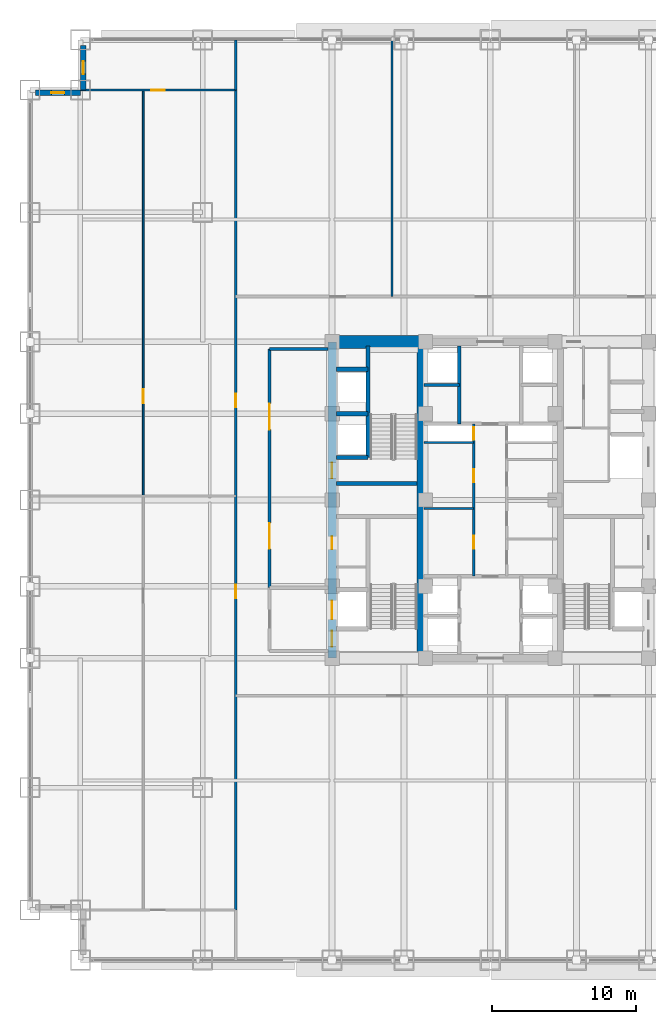
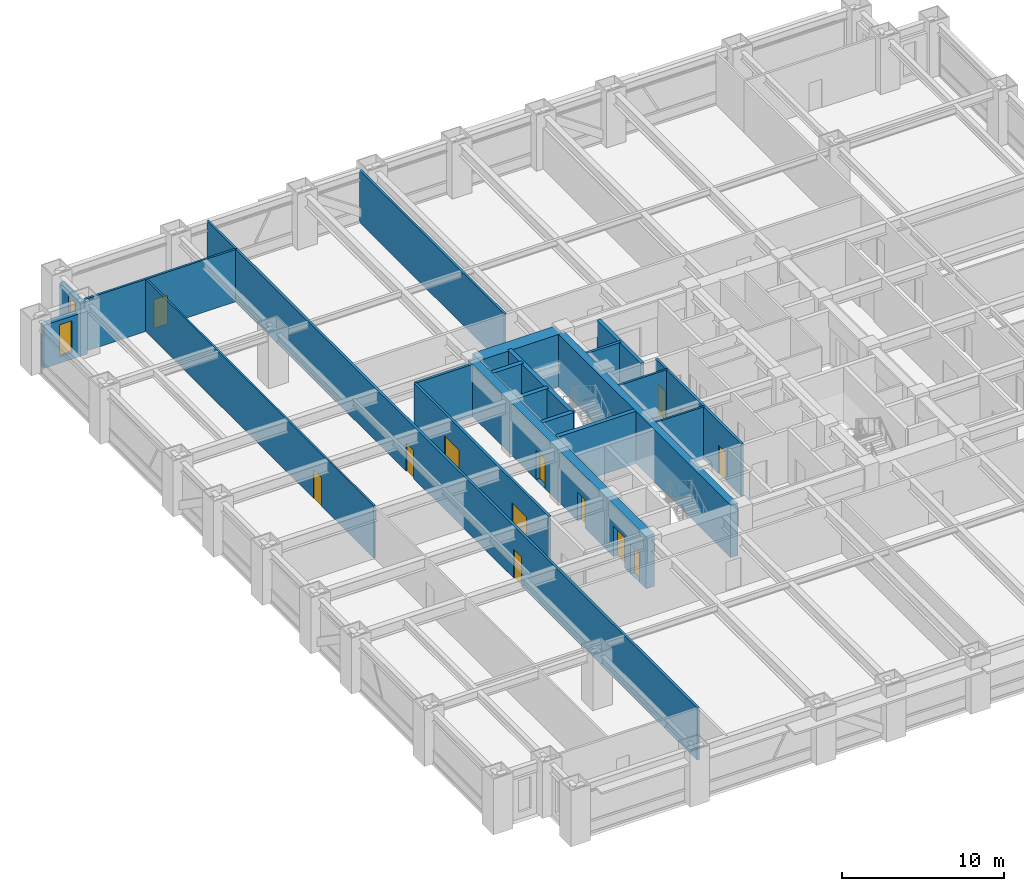
# One storey, part 25 of 32: 22 walls, 13 doors, 2 windows, 15 openings.
"""IFC4 building model written with IfcOpenShell, lengths in metres."""

from ifc_helpers import new_model, si_unit, direction, frame, frame_2d, origin, place, context, subcontext, project, spatial, rectangle, extrude, source, transform, mapped, material, layer, layer_set, type_object, element, fill, save


model = new_model("IFC4")

# Units and contexts
model_context = context("Model", 3, precision=1e-05, world=origin(), true_north=direction((0.0, 1.0)))
body_context = subcontext(model_context, "Body", "Model", "MODEL_VIEW")
ifc_project = project(units=[si_unit("LENGTHUNIT", "METRE"), si_unit("AREAUNIT", "SQUARE_METRE"), si_unit("VOLUMEUNIT", "CUBIC_METRE"), si_unit("PLANEANGLEUNIT", "RADIAN"), si_unit("MASSUNIT", "GRAM", prefix="KILO")], contexts=[model_context])

# Site, building, storey
site_placement = place(None, origin())
site = spatial("IfcSite", under=ifc_project, at=site_placement, CompositionType="ELEMENT")
building_placement = place(site_placement, origin())
building = spatial("IfcBuilding", under=site, at=building_placement, Name="Khorayat Bourse Tower", CompositionType="ELEMENT")
storey_placement = place(building_placement, frame((0.0, 0.0, 78.800048828125)))
storey = spatial("IfcBuildingStorey", under=building, at=storey_placement, Name="L17", CompositionType="ELEMENT", Elevation=78.800048828125)

# Wall, openings, doors
ifc_material_1 = material(Name="Concrete C60/75", Category="concrete")
ifc_layer_1 = layer(ifc_material_1, 0.60009765625)
ifc_layer_set_1 = layer_set([ifc_layer_1], Name="Concrete C60/75")
wall_type_1 = type_object("IfcWallType", Name="WAL-CORE-600", PredefinedType="SHEAR", material=ifc_layer_set_1)
shared_shape_1 = source(origin(), body_context, "Body", "SweptSolid", [
    extrude(rectangle(XDim=22.0, YDim=0.60009765625, at=frame_2d((11.0, 0.0))), origin(), (0.0, 0.0, 1.0), 3.93994140625),
])
wall_1_placement = place(storey_placement, frame((-11.0, -11.0, 0.0), z_axis=(0.0, 0.0, 1.0), x_axis=(0.0, 1.0, 0.0)))
wall_1 = element("IfcWall", 1, at=wall_1_placement, inside=storey, type_object=wall_type_1, Name="L17 Core Shear Wall CORE-W", PredefinedType="SHEAR", context=body_context, shape_type="MappedRepresentation", body=[
    mapped(shared_shape_1, transform((0.0, 0.0, 0.0), scale=1.0)),
])
shared_shape_2 = source(origin(), body_context, "Body", "SweptSolid", [
    extrude(rectangle(XDim=1.10009765625, YDim=2.199951171875, at=frame_2d((0.550048828125, 1.10009765625))), frame((0.0, 0.31005859375, 0.0), z_axis=(0.0, -1.0, 0.0), x_axis=(1.0, 0.0, 0.0)), (0.0, 0.0, 1.0), 0.6201171875),
])
opening_1_placement = place(wall_1_placement, frame((0.800048828125, 0.0, 0.0)))
opening_1 = element("IfcOpeningElement", 2, at=opening_1_placement, cuts=wall_1, Name="Opening DI-01", PredefinedType="OPENING", context=body_context, shape_type="MappedRepresentation", body=[
    mapped(shared_shape_2, transform((0.0, 0.0, 0.0), scale=1.0)),
])
opening_2_placement = place(wall_1_placement, frame((12.5, 0.0, 0.0)))
opening_2 = element("IfcOpeningElement", 3, at=opening_2_placement, cuts=wall_1, Name="Opening DI-01", PredefinedType="OPENING", context=body_context, shape_type="MappedRepresentation", body=[
    mapped(shared_shape_2, transform((0.0, 0.0, 0.0), scale=1.0)),
])
shared_shape_3 = source(origin(), body_context, "Body", "SweptSolid", [
    extrude(rectangle(XDim=0.89990234375, YDim=2.14990234375, at=frame_2d((0.449951171875, 1.074951171875))), frame((0.0, 0.31005859375, 0.0), z_axis=(0.0, -1.0, 0.0), x_axis=(1.0, 0.0, 0.0)), (0.0, 0.0, 1.0), 0.6201171875),
])
opening_3_placement = place(wall_1_placement, frame((7.574951171875, 0.0, 0.0)))
opening_3 = element("IfcOpeningElement", 4, at=opening_3_placement, cuts=wall_1, Name="Opening DI-06", PredefinedType="OPENING", context=body_context, shape_type="MappedRepresentation", body=[
    mapped(shared_shape_3, transform((0.0, 0.0, 0.0), scale=1.0)),
])
shared_shape_4 = source(origin(), body_context, "Body", "SweptSolid", [
    extrude(rectangle(XDim=1.300048828125, YDim=2.300048828125, at=frame_2d((0.64990234375, 1.14990234375))), frame((0.0, 0.31005859375, 0.0), z_axis=(0.0, -1.0, 0.0), x_axis=(1.0, 0.0, 0.0)), (0.0, 0.0, 1.0), 0.6201171875),
])
opening_4_placement = place(wall_1_placement, frame((2.699951171875, 0.0, 0.0)))
opening_4 = element("IfcOpeningElement", 5, at=opening_4_placement, cuts=wall_1, Name="Opening LD-02", PredefinedType="OPENING", context=body_context, shape_type="MappedRepresentation", body=[
    mapped(shared_shape_4, transform((0.0, 0.0, 0.0), scale=1.0)),
])
ifc_material_2 = material(Name="Fire-rated steel acoustic leaf", Category="steel")
door_type_1 = type_object("IfcDoorType", Name="DR-INT-STAIR-1100", OperationType="NOTDEFINED", PredefinedType="DOOR", material=ifc_material_2)
shared_shape_5 = source(origin(), body_context, "Body", "SweptSolid", [
    extrude(rectangle(XDim=1.10009765625, YDim=2.199951171875, at=frame_2d((0.550048828125, 1.10009765625))), frame((0.0, 0.02490234375, 0.0), z_axis=(0.0, -1.0, 0.0), x_axis=(1.0, 0.0, 0.0)), (0.0, 0.0, 1.0), 0.050048828125),
])
door_1_placement = place(opening_1_placement, origin())
door_1 = element("IfcDoor", 6, at=door_1_placement, inside=storey, type_object=door_type_1, Name="L17 Exit Stair 1 Door", OperationType="SINGLE_SWING_RIGHT", OverallHeight=2.199951171875, OverallWidth=1.10009765625, PredefinedType="DOOR", context=body_context, shape_type="MappedRepresentation", body=[
    mapped(shared_shape_5, transform((0.0, 0.0, 0.0), scale=1.0)),
])
fill(opening_1, door_1)
door_2_placement = place(opening_2_placement, origin())
door_2 = element("IfcDoor", 7, at=door_2_placement, inside=storey, type_object=door_type_1, Name="L17 Exit Stair 2 Door", OperationType="SINGLE_SWING_RIGHT", OverallHeight=2.199951171875, OverallWidth=1.10009765625, PredefinedType="DOOR", context=body_context, shape_type="MappedRepresentation", body=[
    mapped(shared_shape_5, transform((0.0, 0.0, 0.0), scale=1.0)),
])
fill(opening_2, door_2)
ifc_material_3 = material(Name="Moisture-resistant laminate washroom door")
door_type_2 = type_object("IfcDoorType", Name="DR-INT-WC-900", OperationType="NOTDEFINED", PredefinedType="DOOR", material=ifc_material_3)
shared_shape_6 = source(origin(), body_context, "Body", "SweptSolid", [
    extrude(rectangle(XDim=0.89990234375, YDim=2.14990234375, at=frame_2d((0.449951171875, 1.074951171875))), frame((0.0, 0.02490234375, 0.0), z_axis=(0.0, -1.0, 0.0), x_axis=(1.0, 0.0, 0.0)), (0.0, 0.0, 1.0), 0.050048828125),
])
door_3_placement = place(opening_3_placement, origin())
door_3 = element("IfcDoor", 8, at=door_3_placement, inside=storey, type_object=door_type_2, Name="L17 UPS Switch Plant Room Door", OperationType="SINGLE_SWING_RIGHT", OverallHeight=2.14990234375, OverallWidth=0.89990234375, PredefinedType="DOOR", context=body_context, shape_type="MappedRepresentation", body=[
    mapped(shared_shape_6, transform((0.0, 0.0, 0.0), scale=1.0)),
])
fill(opening_3, door_3)
ifc_material_4 = material(Name="Fire-rated stainless-steel sliding landing door", Category="steel")
door_type_3 = type_object("IfcDoorType", Name="DR-LIFT-FF-1300", OperationType="NOTDEFINED", PredefinedType="DOOR", material=ifc_material_4)
shared_shape_7 = source(origin(), body_context, "Body", "SweptSolid", [
    extrude(rectangle(XDim=1.300048828125, YDim=2.300048828125, at=frame_2d((0.64990234375, 1.14990234375))), frame((0.0, 0.02490234375, 0.0), z_axis=(0.0, -1.0, 0.0), x_axis=(1.0, 0.0, 0.0)), (0.0, 0.0, 1.0), 0.050048828125),
])
door_4_placement = place(opening_4_placement, origin())
door_4 = element("IfcDoor", 9, at=door_4_placement, inside=storey, type_object=door_type_3, Name="L17 Lift FFL-01 Sliding Landing Door", OperationType="SLIDING_TO_LEFT", OverallHeight=2.300048828125, OverallWidth=1.300048828125, PredefinedType="DOOR", context=body_context, shape_type="MappedRepresentation", body=[
    mapped(shared_shape_7, transform((0.0, 0.0, 0.0), scale=1.0)),
])
fill(opening_4, door_4)

# Walls
ifc_material_5 = material(Name="Concrete C52/65", Category="concrete")
ifc_layer_2 = layer(ifc_material_5, 0.5)
ifc_layer_set_2 = layer_set([ifc_layer_2], Name="Concrete C52/65")
wall_type_2 = type_object("IfcWallType", Name="WAL-CORE-500", PredefinedType="SHEAR", material=ifc_layer_set_2)
shared_shape_8 = source(origin(), body_context, "Body", "SweptSolid", [
    extrude(rectangle(XDim=21.39990234375, YDim=0.5, at=frame_2d((10.699951171875, 0.0))), origin(), (0.0, 0.0, 1.0), 3.93994140625),
])
wall_2_placement = place(storey_placement, frame((-4.85009765625, -10.699951171875, 0.0), z_axis=(0.0, 0.0, 1.0), x_axis=(0.0, 1.0, 0.0)))
element("IfcWall", 10, at=wall_2_placement, inside=storey, type_object=wall_type_2, Name="L17 Core Shear Wall PIER-W", PredefinedType="SHEAR", context=body_context, shape_type="MappedRepresentation", body=[
    mapped(shared_shape_8, transform((0.0, 0.0, 0.0), scale=1.0)),
])
ifc_material_6 = material(Name="Concrete C72/90", Category="concrete")
ifc_layer_3 = layer(ifc_material_6, 0.89990234375)
ifc_layer_set_3 = layer_set([ifc_layer_3], Name="Concrete C72/90")
wall_type_3 = type_object("IfcWallType", Name="WAL-CORE-900", PredefinedType="SHEAR", material=ifc_layer_set_3)
shared_shape_9 = source(origin(), body_context, "Body", "SweptSolid", [
    extrude(rectangle(XDim=5.849853515625, YDim=0.89990234375, at=frame_2d((2.9248046875, 0.0))), origin(), (0.0, 0.0, 1.0), 3.93994140625),
])
wall_3_placement = place(storey_placement, frame((-10.699951171875, 11.0, 0.0), z_axis=(0.0, 0.0, 1.0), x_axis=(1.0, 0.0, 0.0)))
element("IfcWall", 11, at=wall_3_placement, inside=storey, type_object=wall_type_3, Name="L17 Core Shear Wall PIER-WN", PredefinedType="SHEAR", context=body_context, shape_type="MappedRepresentation", body=[
    mapped(shared_shape_9, transform((0.0, 0.0, 0.0), scale=1.0)),
])
ifc_material_7 = material(Name="Concrete C50/60", Category="concrete")
ifc_layer_4 = layer(ifc_material_7, 0.300048828125)
ifc_layer_set_4 = layer_set([ifc_layer_4], Name="Concrete C50/60")
wall_type_4 = type_object("IfcWallType", Name="WAL-SHAFT-300", PredefinedType="SHEAR", material=ifc_layer_set_4)
shared_shape_10 = source(origin(), body_context, "Body", "SweptSolid", [
    extrude(rectangle(XDim=5.599853515625, YDim=0.300048828125, at=frame_2d((2.7998046875, 0.0))), origin(), (0.0, 0.0, 1.0), 3.93994140625),
])
wall_4_placement = place(storey_placement, frame((-10.699951171875, 1.14990234375, 0.0), z_axis=(0.0, 0.0, 1.0), x_axis=(1.0, 0.0, 0.0)))
element("IfcWall", 12, at=wall_4_placement, inside=storey, type_object=wall_type_4, Name="L17 Core Shear Wall ST2-DIV", PredefinedType="SHEAR", context=body_context, shape_type="MappedRepresentation", body=[
    mapped(shared_shape_10, transform((0.0, 0.0, 0.0), scale=1.0)),
])

# Wall, opening, window
ifc_material_8 = material(Name="Precast concrete C45/55", Category="concrete")
ifc_layer_5 = layer(ifc_material_8, 0.3798828125)
ifc_layer_set_5 = layer_set([ifc_layer_5], Name="Precast concrete C45/55")
wall_type_5 = type_object("IfcWallType", Name="WAL-EXT-STONE-380", PredefinedType="STANDARD", material=ifc_layer_set_5)
shared_shape_11 = source(origin(), body_context, "Body", "SweptSolid", [
    extrude(rectangle(XDim=3.1201171875, YDim=0.3798828125, at=frame_2d((1.56005859375, 0.0))), origin(), (0.0, 0.0, 1.0), 3.244873046875),
])
wall_5_placement = place(storey_placement, frame((-28.31005859375, 28.5, 0.0), z_axis=(0.0, 0.0, 1.0), x_axis=(0.0, 1.0, 0.0)))
wall_5 = element("IfcWall", 13, at=wall_5_placement, inside=storey, type_object=wall_type_5, Name="L17 Re-Entrant Notch Limestone Wall NW-V", PredefinedType="STANDARD", context=body_context, shape_type="MappedRepresentation", body=[
    mapped(shared_shape_11, transform((0.0, 0.0, 0.0), scale=1.0)),
])
shared_shape_12 = source(origin(), body_context, "Body", "SweptSolid", [
    extrude(rectangle(XDim=0.89990234375, YDim=2.39990234375, at=frame_2d((0.449951171875, 1.199951171875))), frame((0.0, 0.199951171875, 0.0), z_axis=(0.0, -1.0, 0.0), x_axis=(1.0, 0.0, 0.0)), (0.0, 0.0, 1.0), 0.39990234375),
])
opening_5_placement = place(wall_5_placement, frame((1.110107421875, 0.0, 0.5)))
opening_5 = element("IfcOpeningElement", 14, at=opening_5_placement, cuts=wall_5, Name="Opening WN-03", PredefinedType="OPENING", context=body_context, shape_type="MappedRepresentation", body=[
    mapped(shared_shape_12, transform((0.0, 0.0, 0.0), scale=1.0)),
])
ifc_material_9 = material(Name="Deep-reveal solar-control double glazing", Category="glass")
window_type = type_object("IfcWindowType", Name="WIN-SLOT-900x2400", PartitioningType="SINGLE_PANEL", PredefinedType="WINDOW", material=ifc_material_9)
shared_shape_13 = source(origin(), body_context, "Body", "SweptSolid", [
    extrude(rectangle(XDim=0.89990234375, YDim=2.39990234375, at=frame_2d((0.449951171875, 1.199951171875))), frame((0.0, 0.030029296875, 0.0), z_axis=(0.0, -1.0, 0.0), x_axis=(1.0, 0.0, 0.0)), (0.0, 0.0, 1.0), 0.06005859375),
])
window_1_placement = place(opening_5_placement, origin())
window_1 = element("IfcWindow", 15, at=window_1_placement, inside=storey, type_object=window_type, Name="L17 Facade Window 1", OverallHeight=2.39990234375, OverallWidth=0.89990234375, PartitioningType="SINGLE_PANEL", PredefinedType="WINDOW", context=body_context, shape_type="MappedRepresentation", body=[
    mapped(shared_shape_13, transform((0.0, 0.0, 0.0), scale=1.0)),
])
fill(opening_5, window_1)

wall_6_placement = place(storey_placement, frame((-28.5, 28.31005859375, 0.0), z_axis=(0.0, 0.0, 1.0), x_axis=(-1.0, 0.0, 0.0)))
wall_6 = element("IfcWall", 16, at=wall_6_placement, inside=storey, type_object=wall_type_5, Name="L17 Re-Entrant Notch Limestone Wall NW-H", PredefinedType="STANDARD", context=body_context, shape_type="MappedRepresentation", body=[
    mapped(shared_shape_11, transform((0.0, 0.0, 0.0), scale=1.0)),
])
opening_6_placement = place(wall_6_placement, frame((1.110107421875, 0.0, 0.5)))
opening_6 = element("IfcOpeningElement", 17, at=opening_6_placement, cuts=wall_6, Name="Opening WN-03", PredefinedType="OPENING", context=body_context, shape_type="MappedRepresentation", body=[
    mapped(shared_shape_12, transform((0.0, 0.0, 0.0), scale=1.0)),
])
window_2_placement = place(opening_6_placement, origin())
window_2 = element("IfcWindow", 18, at=window_2_placement, inside=storey, type_object=window_type, Name="L17 Facade Window 1", OverallHeight=2.39990234375, OverallWidth=0.89990234375, PartitioningType="SINGLE_PANEL", PredefinedType="WINDOW", context=body_context, shape_type="MappedRepresentation", body=[
    mapped(shared_shape_13, transform((0.0, 0.0, 0.0), scale=1.0)),
])
fill(opening_6, window_2)

# Walls
shared_shape_14 = source(origin(), body_context, "Body", "SweptSolid", [
    extrude(rectangle(XDim=2.199951171875, YDim=0.300048828125, at=frame_2d((1.10009765625, 0.0))), origin(), (0.0, 0.0, 1.0), 3.93994140625),
])
for number, where, z_axis, x_axis, name in (
    (19, (-10.699951171875, 2.949951171875, 0.0), (0.0, 0.0, 1.0), (1.0, 0.0, 0.0), "L17 Partition WAL-L17-WPIER-H1S"),
    (20, (-10.699951171875, 6.0, 0.0), (0.0, 0.0, 1.0), (1.0, 0.0, 0.0), "L17 Partition WAL-L17-WPIER-H12"),
    (21, (-10.699951171875, 9.10009765625, 0.0), (0.0, 0.0, 1.0), (1.0, 0.0, 0.0), "L17 Partition WAL-L17-WPIER-H2N"),
):
    element("IfcWall", number, at=place(storey_placement, frame(where, z_axis=z_axis, x_axis=x_axis)), inside=storey, type_object=wall_type_4, Name=name, PredefinedType="SHEAR", context=body_context, shape_type="MappedRepresentation", body=[
        mapped(shared_shape_14, transform((0.0, 0.0, 0.0), scale=1.0)),
    ])
shared_shape_15 = source(origin(), body_context, "Body", "SweptSolid", [
    extrude(rectangle(XDim=7.75, YDim=0.300048828125, at=frame_2d((3.875, 0.0))), origin(), (0.0, 0.0, 1.0), 3.93994140625),
])
wall_7_placement = place(storey_placement, frame((-8.5, 2.949951171875, 0.0), z_axis=(0.0, 0.0, 1.0), x_axis=(0.0, 1.0, 0.0)))
element("IfcWall", 22, at=wall_7_placement, inside=storey, type_object=wall_type_4, Name="L17 Partition WAL-L17-WPIER-ST2S", PredefinedType="SHEAR", context=body_context, shape_type="MappedRepresentation", body=[
    mapped(shared_shape_15, transform((0.0, 0.0, 0.0), scale=1.0)),
])
ifc_material_10 = material(Name="Gypsum plasterboard acoustic stud wall")
ifc_layer_6 = layer(ifc_material_10, 0.179931640625)
ifc_layer_set_6 = layer_set([ifc_layer_6], Name="Gypsum plasterboard acoustic stud wall")
wall_type_6 = type_object("IfcWallType", Name="WAL-PART-CORR-180", PredefinedType="PARTITIONING", material=ifc_layer_set_6)
shared_shape_16 = source(origin(), body_context, "Body", "SweptSolid", [
    extrude(rectangle(XDim=4.050048828125, YDim=0.179931640625, at=frame_2d((2.02490234375, 0.0))), origin(), (0.0, 0.0, 1.0), 3.93994140625),
])
wall_8_placement = place(storey_placement, frame((-15.35009765625, 10.5, 0.0), z_axis=(0.0, 0.0, 1.0), x_axis=(1.0, 0.0, 0.0)))
element("IfcWall", 23, at=wall_8_placement, inside=storey, type_object=wall_type_6, Name="L17 Partition WAL-L17-WLOB-N", PredefinedType="PARTITIONING", context=body_context, shape_type="MappedRepresentation", body=[
    mapped(shared_shape_16, transform((0.0, 0.0, 0.0), scale=1.0)),
])

# Wall, openings, doors
shared_shape_17 = source(origin(), body_context, "Body", "SweptSolid", [
    extrude(rectangle(XDim=16.60009765625, YDim=0.179931640625, at=frame_2d((8.300048828125, 0.0))), origin(), (0.0, 0.0, 1.0), 3.93994140625),
])
wall_9_placement = place(storey_placement, frame((-15.35009765625, -6.10009765625, 0.0), z_axis=(0.0, 0.0, 1.0), x_axis=(0.0, 1.0, 0.0)))
wall_9 = element("IfcWall", 24, at=wall_9_placement, inside=storey, type_object=wall_type_6, Name="L17 Partition WAL-L17-WLOB-W", PredefinedType="PARTITIONING", context=body_context, shape_type="MappedRepresentation", body=[
    mapped(shared_shape_17, transform((0.0, 0.0, 0.0), scale=1.0)),
])
shared_shape_18 = source(origin(), body_context, "Body", "SweptSolid", [
    extrude(rectangle(XDim=1.800048828125, YDim=2.25, at=frame_2d((0.89990234375, 1.125))), frame((0.0, 0.099853515625, 0.0), z_axis=(0.0, -1.0, 0.0), x_axis=(1.0, 0.0, 0.0)), (0.0, 0.0, 1.0), 0.199951171875),
])
opening_7_placement = place(wall_9_placement, frame((2.699951171875, 0.0, 0.0)))
opening_7 = element("IfcOpeningElement", 25, at=opening_7_placement, cuts=wall_9, Name="Opening DI-03", PredefinedType="OPENING", context=body_context, shape_type="MappedRepresentation", body=[
    mapped(shared_shape_18, transform((0.0, 0.0, 0.0), scale=1.0)),
])
opening_8_placement = place(wall_9_placement, frame((11.0, 0.0, 0.0)))
opening_8 = element("IfcOpeningElement", 26, at=opening_8_placement, cuts=wall_9, Name="Opening DI-03", PredefinedType="OPENING", context=body_context, shape_type="MappedRepresentation", body=[
    mapped(shared_shape_18, transform((0.0, 0.0, 0.0), scale=1.0)),
])
ifc_material_11 = material(Name="Fire-rated hardwood vision-panel double leaf", Category="wood")
door_type_4 = type_object("IfcDoorType", Name="DR-INT-CORR-1800", OperationType="NOTDEFINED", PredefinedType="DOOR", material=ifc_material_11)
shared_shape_19 = source(origin(), body_context, "Body", "SweptSolid", [
    extrude(rectangle(XDim=1.800048828125, YDim=2.25, at=frame_2d((0.89990234375, 1.125))), frame((0.0, 0.02490234375, 0.0), z_axis=(0.0, -1.0, 0.0), x_axis=(1.0, 0.0, 0.0)), (0.0, 0.0, 1.0), 0.050048828125),
])
door_5_placement = place(opening_7_placement, origin())
door_5 = element("IfcDoor", 27, at=door_5_placement, inside=storey, type_object=door_type_4, Name="L17 West Core Lobby South Door", OperationType="SINGLE_SWING_LEFT", OverallHeight=2.25, OverallWidth=1.800048828125, PredefinedType="DOOR", context=body_context, shape_type="MappedRepresentation", body=[
    mapped(shared_shape_19, transform((0.0, 0.0, 0.0), scale=1.0)),
])
fill(opening_7, door_5)
door_6_placement = place(opening_8_placement, origin())
door_6 = element("IfcDoor", 28, at=door_6_placement, inside=storey, type_object=door_type_4, Name="L17 West Core Lobby North Door", OperationType="SINGLE_SWING_RIGHT", OverallHeight=2.25, OverallWidth=1.800048828125, PredefinedType="DOOR", context=body_context, shape_type="MappedRepresentation", body=[
    mapped(shared_shape_19, transform((0.0, 0.0, 0.0), scale=1.0)),
])
fill(opening_8, door_6)

# Walls
ifc_material_12 = material(Name="Gypsum plasterboard twin-frame partition")
ifc_layer_7 = layer(ifc_material_12, 0.14990234375)
ifc_layer_set_7 = layer_set([ifc_layer_7], Name="Gypsum plasterboard twin-frame partition")
wall_type_7 = type_object("IfcWallType", Name="WAL-PART-SUITE-150", PredefinedType="PARTITIONING", material=ifc_layer_set_7)
shared_shape_20 = source(origin(), body_context, "Body", "SweptSolid", [
    extrude(rectangle(XDim=3.4501953125, YDim=0.14990234375, at=frame_2d((1.72509765625, 0.0))), origin(), (0.0, 0.0, 1.0), 3.93994140625),
])
wall_10_placement = place(storey_placement, frame((-4.60009765625, 4.0, 0.0), z_axis=(0.0, 0.0, 1.0), x_axis=(1.0, 0.0, 0.0)))
element("IfcWall", 29, at=wall_10_placement, inside=storey, type_object=wall_type_7, Name="L17 Partition WAL-L17-CRSW-S", PredefinedType="PARTITIONING", context=body_context, shape_type="MappedRepresentation", body=[
    mapped(shared_shape_20, transform((0.0, 0.0, 0.0), scale=1.0)),
])
shared_shape_21 = source(origin(), body_context, "Body", "SweptSolid", [
    extrude(rectangle(XDim=5.39990234375, YDim=0.25, at=frame_2d((2.699951171875, 0.0))), origin(), (0.0, 0.0, 1.0), 3.93994140625),
])
wall_11_placement = place(storey_placement, frame((-2.14990234375, 5.300048828125, 0.0), z_axis=(0.0, 0.0, 1.0), x_axis=(0.0, 1.0, 0.0)))
element("IfcWall", 30, at=wall_11_placement, inside=storey, type_object=wall_type_4, Name="L17 Partition WAL-L17-B2-W", PredefinedType="SHEAR", context=body_context, shape_type="MappedRepresentation", body=[
    mapped(shared_shape_21, transform((0.0, 0.0, 0.0), scale=1.0)),
])
shared_shape_22 = source(origin(), body_context, "Body", "SweptSolid", [
    extrude(rectangle(XDim=2.4501953125, YDim=0.199951171875, at=frame_2d((1.22509765625, 0.0))), origin(), (0.0, 0.0, 1.0), 3.93994140625),
])
wall_12_placement = place(storey_placement, frame((-4.60009765625, 8.0, 0.0), z_axis=(0.0, 0.0, 1.0), x_axis=(1.0, 0.0, 0.0)))
element("IfcWall", 31, at=wall_12_placement, inside=storey, type_object=wall_type_4, Name="L17 Partition WAL-L17-B2-MW", PredefinedType="SHEAR", context=body_context, shape_type="MappedRepresentation", body=[
    mapped(shared_shape_22, transform((0.0, 0.0, 0.0), scale=1.0)),
])
ifc_material_13 = material(Name="Moisture-resistant masonry partition", Category="masonry")
ifc_layer_8 = layer(ifc_material_13, 0.139892578125)
ifc_layer_set_8 = layer_set([ifc_layer_8], Name="Moisture-resistant masonry partition")
wall_type_8 = type_object("IfcWallType", Name="WAL-PART-WET-140", PredefinedType="PARTITIONING", material=ifc_layer_set_8)
shared_shape_23 = source(origin(), body_context, "Body", "SweptSolid", [
    extrude(rectangle(XDim=3.4501953125, YDim=0.139892578125, at=frame_2d((1.72509765625, 0.0))), origin(), (0.0, 0.0, 1.0), 3.93994140625),
])
wall_13_placement = place(storey_placement, frame((-4.60009765625, -0.60009765625, 0.0), z_axis=(0.0, 0.0, 1.0), x_axis=(1.0, 0.0, 0.0)))
element("IfcWall", 32, at=wall_13_placement, inside=storey, type_object=wall_type_8, Name="L17 Partition WAL-L17-CMW-D1", PredefinedType="PARTITIONING", context=body_context, shape_type="MappedRepresentation", body=[
    mapped(shared_shape_23, transform((0.0, 0.0, 0.0), scale=1.0)),
])

# Wall, openings, doors
shared_shape_24 = source(origin(), body_context, "Body", "SweptSolid", [
    extrude(rectangle(XDim=10.60009765625, YDim=0.179931640625, at=frame_2d((5.300048828125, 0.0))), origin(), (0.0, 0.0, 1.0), 3.93994140625),
])
wall_14_placement = place(storey_placement, frame((-1.14990234375, -5.300048828125, 0.0), z_axis=(0.0, 0.0, 1.0), x_axis=(0.0, 1.0, 0.0)))
wall_14 = element("IfcWall", 33, at=wall_14_placement, inside=storey, type_object=wall_type_6, Name="L17 Partition WAL-L17-CMW-L", PredefinedType="PARTITIONING", context=body_context, shape_type="MappedRepresentation", body=[
    mapped(shared_shape_24, transform((0.0, 0.0, 0.0), scale=1.0)),
])
shared_shape_25 = source(origin(), body_context, "Body", "SweptSolid", [
    extrude(rectangle(XDim=0.89990234375, YDim=2.14990234375, at=frame_2d((0.449951171875, 1.074951171875))), frame((0.0, 0.099853515625, 0.0), z_axis=(0.0, -1.0, 0.0), x_axis=(1.0, 0.0, 0.0)), (0.0, 0.0, 1.0), 0.199951171875),
])
opening_9_placement = place(wall_14_placement, frame((1.89990234375, 0.0, 0.0)))
opening_9 = element("IfcOpeningElement", 34, at=opening_9_placement, cuts=wall_14, Name="Opening DI-06", PredefinedType="OPENING", context=body_context, shape_type="MappedRepresentation", body=[
    mapped(shared_shape_25, transform((0.0, 0.0, 0.0), scale=1.0)),
])
opening_10_placement = place(wall_14_placement, frame((6.550048828125, 0.0, 0.0)))
opening_10 = element("IfcOpeningElement", 35, at=opening_10_placement, cuts=wall_14, Name="Opening DI-06", PredefinedType="OPENING", context=body_context, shape_type="MappedRepresentation", body=[
    mapped(shared_shape_25, transform((0.0, 0.0, 0.0), scale=1.0)),
])
opening_11_placement = place(wall_14_placement, frame((9.47509765625, 0.0, 0.0)))
opening_11 = element("IfcOpeningElement", 36, at=opening_11_placement, cuts=wall_14, Name="Opening DI-06", PredefinedType="OPENING", context=body_context, shape_type="MappedRepresentation", body=[
    mapped(shared_shape_25, transform((0.0, 0.0, 0.0), scale=1.0)),
])
door_7_placement = place(opening_9_placement, origin())
door_7 = element("IfcDoor", 37, at=door_7_placement, inside=storey, type_object=door_type_2, Name="L17 Male Core Washroom Door", OperationType="SINGLE_SWING_RIGHT", OverallHeight=2.14990234375, OverallWidth=0.89990234375, PredefinedType="DOOR", context=body_context, shape_type="MappedRepresentation", body=[
    mapped(shared_shape_6, transform((0.0, 0.0, 0.0), scale=1.0)),
])
fill(opening_9, door_7)
door_8_placement = place(opening_10_placement, origin())
door_8 = element("IfcDoor", 38, at=door_8_placement, inside=storey, type_object=door_type_2, Name="L17 Chilled Water Riser Plant Room Door", OperationType="SINGLE_SWING_LEFT", OverallHeight=2.14990234375, OverallWidth=0.89990234375, PredefinedType="DOOR", context=body_context, shape_type="MappedRepresentation", body=[
    mapped(shared_shape_6, transform((0.0, 0.0, 0.0), scale=1.0)),
])
fill(opening_10, door_8)
door_9_placement = place(opening_11_placement, origin())
door_9 = element("IfcDoor", 39, at=door_9_placement, inside=storey, type_object=door_type_2, Name="L17 West Core Riser Door", OperationType="SINGLE_SWING_LEFT", OverallHeight=2.14990234375, OverallWidth=0.89990234375, PredefinedType="DOOR", context=body_context, shape_type="MappedRepresentation", body=[
    mapped(shared_shape_6, transform((0.0, 0.0, 0.0), scale=1.0)),
])
fill(opening_11, door_9)

# Wall
shared_shape_26 = source(origin(), body_context, "Body", "SweptSolid", [
    extrude(rectangle(XDim=3.5, YDim=0.14990234375, at=frame_2d((1.75, 0.0))), origin(), (0.0, 0.0, 1.0), 3.93994140625),
])
wall_15_placement = place(storey_placement, frame((-17.699951171875, 28.5, 0.0), z_axis=(0.0, 0.0, 1.0), x_axis=(0.0, 1.0, 0.0)))
element("IfcWall", 40, at=wall_15_placement, inside=storey, type_object=wall_type_7, Name="L17 Partition WAL-L17-NCW-END", PredefinedType="PARTITIONING", context=body_context, shape_type="MappedRepresentation", body=[
    mapped(shared_shape_26, transform((0.0, 0.0, 0.0), scale=1.0)),
])

# Wall, openings, doors
shared_shape_27 = source(origin(), body_context, "Body", "SweptSolid", [
    extrude(rectangle(XDim=57.0, YDim=0.179931640625, at=frame_2d((28.5, 0.0))), origin(), (0.0, 0.0, 1.0), 3.93994140625),
])
wall_16_placement = place(storey_placement, frame((-17.699951171875, -28.5, 0.0), z_axis=(0.0, 0.0, 1.0), x_axis=(0.0, 1.0, 0.0)))
wall_16 = element("IfcWall", 41, at=wall_16_placement, inside=storey, type_object=wall_type_6, Name="L17 Partition WAL-L17-WCORR", PredefinedType="PARTITIONING", context=body_context, shape_type="MappedRepresentation", body=[
    mapped(shared_shape_27, transform((0.0, 0.0, 0.0), scale=1.0)),
])
shared_shape_28 = source(origin(), body_context, "Body", "SweptSolid", [
    extrude(rectangle(XDim=0.949951171875, YDim=2.14990234375, at=frame_2d((0.47509765625, 1.074951171875))), frame((0.0, 0.099853515625, 0.0), z_axis=(0.0, -1.0, 0.0), x_axis=(1.0, 0.0, 0.0)), (0.0, 0.0, 1.0), 0.199951171875),
])
opening_12_placement = place(wall_16_placement, frame((21.66259765625, 0.0, 0.0)))
opening_12 = element("IfcOpeningElement", 42, at=opening_12_placement, cuts=wall_16, Name="Opening DI-05", PredefinedType="OPENING", context=body_context, shape_type="MappedRepresentation", body=[
    mapped(shared_shape_28, transform((0.0, 0.0, 0.0), scale=1.0)),
])
opening_13_placement = place(wall_16_placement, frame((34.9375, 0.0, 0.0)))
opening_13 = element("IfcOpeningElement", 43, at=opening_13_placement, cuts=wall_16, Name="Opening DI-05", PredefinedType="OPENING", context=body_context, shape_type="MappedRepresentation", body=[
    mapped(shared_shape_28, transform((0.0, 0.0, 0.0), scale=1.0)),
])
ifc_material_14 = material(Name="Acoustic oak veneer office door")
door_type_5 = type_object("IfcDoorType", Name="DR-INT-OFFICE-950", OperationType="NOTDEFINED", PredefinedType="DOOR", material=ifc_material_14)
shared_shape_29 = source(origin(), body_context, "Body", "SweptSolid", [
    extrude(rectangle(XDim=0.949951171875, YDim=2.14990234375, at=frame_2d((0.47509765625, 1.074951171875))), frame((0.0, 0.02490234375, 0.0), z_axis=(0.0, -1.0, 0.0), x_axis=(1.0, 0.0, 0.0)), (0.0, 0.0, 1.0), 0.050048828125),
])
door_10_placement = place(opening_12_placement, origin())
door_10 = element("IfcDoor", 44, at=door_10_placement, inside=storey, type_object=door_type_5, Name="L17 Clearing Operations Office W1 Door", OperationType="SINGLE_SWING_RIGHT", OverallHeight=2.14990234375, OverallWidth=0.949951171875, PredefinedType="DOOR", context=body_context, shape_type="MappedRepresentation", body=[
    mapped(shared_shape_29, transform((0.0, 0.0, 0.0), scale=1.0)),
])
fill(opening_12, door_10)
door_11_placement = place(opening_13_placement, origin())
door_11 = element("IfcDoor", 45, at=door_11_placement, inside=storey, type_object=door_type_5, Name="L17 Staff Tea Pantry W2 Door", OperationType="SINGLE_SWING_LEFT", OverallHeight=2.14990234375, OverallWidth=0.949951171875, PredefinedType="DOOR", context=body_context, shape_type="MappedRepresentation", body=[
    mapped(shared_shape_29, transform((0.0, 0.0, 0.0), scale=1.0)),
])
fill(opening_13, door_11)

# Wall, opening, door
shared_shape_30 = source(origin(), body_context, "Body", "SweptSolid", [
    extrude(rectangle(XDim=10.800048828125, YDim=0.14990234375, at=frame_2d((5.39990234375, 0.0))), origin(), (0.0, 0.0, 1.0), 3.93994140625),
])
wall_17_placement = place(storey_placement, frame((-28.5, 28.5, 0.0), z_axis=(0.0, 0.0, 1.0), x_axis=(1.0, 0.0, 0.0)))
wall_17 = element("IfcWall", 46, at=wall_17_placement, inside=storey, type_object=wall_type_7, Name="L17 Partition WAL-L17-CNW", PredefinedType="PARTITIONING", context=body_context, shape_type="MappedRepresentation", body=[
    mapped(shared_shape_30, transform((0.0, 0.0, 0.0), scale=1.0)),
])
shared_shape_31 = source(origin(), body_context, "Body", "SweptSolid", [
    extrude(rectangle(XDim=0.949951171875, YDim=2.14990234375, at=frame_2d((0.47509765625, 1.074951171875))), frame((0.0, 0.0849609375, 0.0), z_axis=(0.0, -1.0, 0.0), x_axis=(1.0, 0.0, 0.0)), (0.0, 0.0, 1.0), 0.169921875),
])
opening_14_placement = place(wall_17_placement, frame((4.925048828125, 0.0, 0.0)))
opening_14 = element("IfcOpeningElement", 47, at=opening_14_placement, cuts=wall_17, Name="Opening DI-05", PredefinedType="OPENING", context=body_context, shape_type="MappedRepresentation", body=[
    mapped(shared_shape_31, transform((0.0, 0.0, 0.0), scale=1.0)),
])
door_12_placement = place(opening_14_placement, origin())
door_12 = element("IfcDoor", 48, at=door_12_placement, inside=storey, type_object=door_type_5, Name="L17 North-West Corner Meeting Room Door", OperationType="SINGLE_SWING_LEFT", OverallHeight=2.14990234375, OverallWidth=0.949951171875, PredefinedType="DOOR", context=body_context, shape_type="MappedRepresentation", body=[
    mapped(shared_shape_29, transform((0.0, 0.0, 0.0), scale=1.0)),
])
fill(opening_14, door_12)

# Wall
shared_shape_32 = source(origin(), body_context, "Body", "SweptSolid", [
    extrude(rectangle(XDim=17.85009765625, YDim=0.14990234375, at=frame_2d((8.925048828125, 0.0))), origin(), (0.0, 0.0, 1.0), 3.93994140625),
])
wall_18_placement = place(storey_placement, frame((-6.824951171875, 14.14990234375, 0.0), z_axis=(0.0, 0.0, 1.0), x_axis=(0.0, 1.0, 0.0)))
element("IfcWall", 49, at=wall_18_placement, inside=storey, type_object=wall_type_7, Name="L17 Partition WAL-L17-NDV-1", PredefinedType="PARTITIONING", context=body_context, shape_type="MappedRepresentation", body=[
    mapped(shared_shape_32, transform((0.0, 0.0, 0.0), scale=1.0)),
])

# Wall, opening, door
ifc_material_15 = material(Name="Gypsum plasterboard partition")
ifc_layer_9 = layer(ifc_material_15, 0.125)
ifc_layer_set_9 = layer_set([ifc_layer_9], Name="Gypsum plasterboard partition")
wall_type_9 = type_object("IfcWallType", Name="WAL-PART-ROOM-125", PredefinedType="PARTITIONING", material=ifc_layer_set_9)
shared_shape_33 = source(origin(), body_context, "Body", "SweptSolid", [
    extrude(rectangle(XDim=28.22509765625, YDim=0.125, at=frame_2d((14.112548828125, 0.0))), origin(), (0.0, 0.0, 1.0), 3.93994140625),
])
wall_19_placement = place(storey_placement, frame((-24.135009765625, 0.27490234375, 0.0), z_axis=(0.0, 0.0, 1.0), x_axis=(0.0, 1.0, 0.0)))
wall_19 = element("IfcWall", 50, at=wall_19_placement, inside=storey, type_object=wall_type_9, Name="L17 Partition WAL-L17-WDP-2", PredefinedType="PARTITIONING", context=body_context, shape_type="MappedRepresentation", body=[
    mapped(shared_shape_33, transform((0.0, 0.0, 0.0), scale=1.0)),
])
shared_shape_34 = source(origin(), body_context, "Body", "SweptSolid", [
    extrude(rectangle(XDim=0.949951171875, YDim=2.14990234375, at=frame_2d((0.47509765625, 1.074951171875))), frame((0.0, 0.072509765625, 0.0), z_axis=(0.0, -1.0, 0.0), x_axis=(1.0, 0.0, 0.0)), (0.0, 0.0, 1.0), 0.14501953125),
])
opening_15_placement = place(wall_19_placement, frame((6.46240234375, 0.0, 0.0)))
opening_15 = element("IfcOpeningElement", 51, at=opening_15_placement, cuts=wall_19, Name="Opening DI-05", PredefinedType="OPENING", context=body_context, shape_type="MappedRepresentation", body=[
    mapped(shared_shape_34, transform((0.0, 0.0, 0.0), scale=1.0)),
])
door_13_placement = place(opening_15_placement, origin())
door_13 = element("IfcDoor", 52, at=door_13_placement, inside=storey, type_object=door_type_5, Name="L17 Clearing Records Archive Store W2B Door", OperationType="SINGLE_SWING_LEFT", OverallHeight=2.14990234375, OverallWidth=0.949951171875, PredefinedType="DOOR", context=body_context, shape_type="MappedRepresentation", body=[
    mapped(shared_shape_29, transform((0.0, 0.0, 0.0), scale=1.0)),
])
fill(opening_15, door_13)

save(model, "model.ifc")
